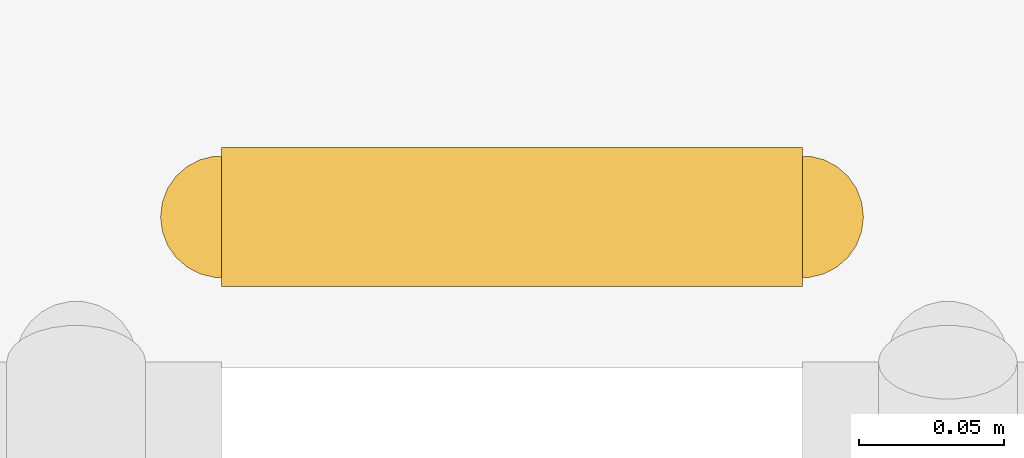
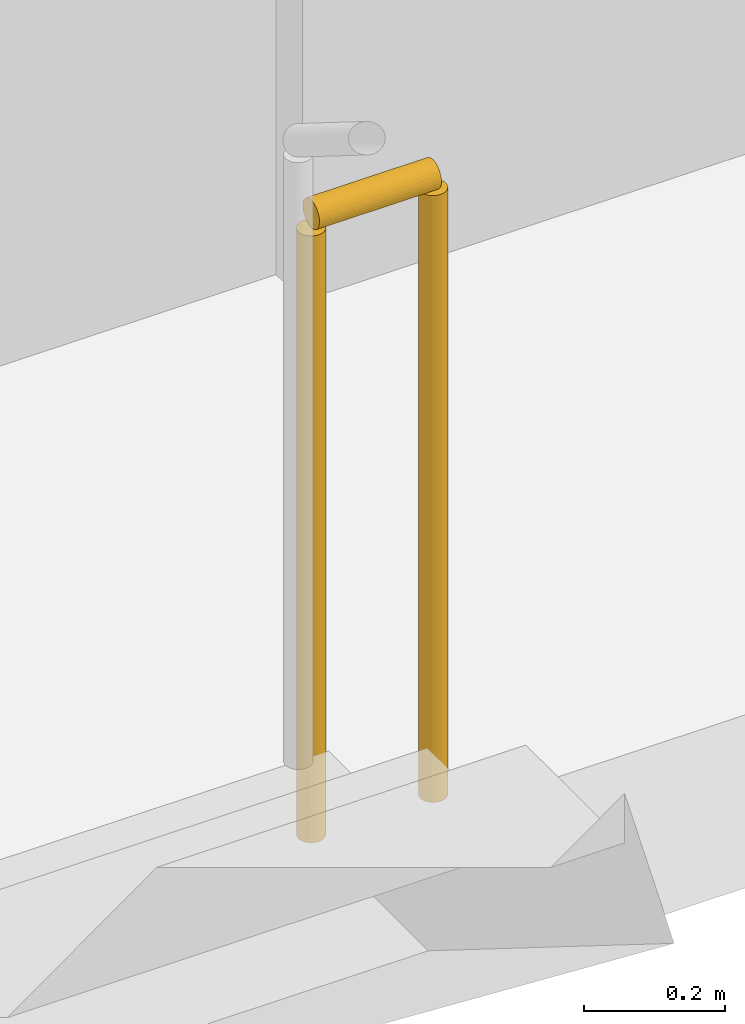
# One storey, part 19 of 21: 1 railing.
"""IFC4 building model written with IfcOpenShell, lengths in metres."""

from ifc_helpers import new_model, si_unit, direction, frame, origin, origin_2d, place, context, subcontext, project, spatial, circle, extrude, material, type_object, element, save


model = new_model("IFC4")

# Units and contexts
model_context = context("Model", 3, precision=1e-05, world=origin(), true_north=direction((0.0, 1.0)))
body_context = subcontext(model_context, "Body", "Model", "MODEL_VIEW")
ifc_project = project(units=[si_unit("LENGTHUNIT", "METRE"), si_unit("AREAUNIT", "SQUARE_METRE"), si_unit("VOLUMEUNIT", "CUBIC_METRE"), si_unit("PLANEANGLEUNIT", "RADIAN"), si_unit("MASSUNIT", "GRAM", prefix="KILO")], contexts=[model_context])

# Site, building, storey
site_placement = place(None, origin())
site = spatial("IfcSite", under=ifc_project, at=site_placement, CompositionType="ELEMENT")
building_placement = place(site_placement, origin())
building = spatial("IfcBuilding", under=site, at=building_placement, Name="Kiln Ring Residences", CompositionType="ELEMENT")
storey_placement = place(building_placement, frame((0.0, 0.0, 34.0)))
storey = spatial("IfcBuildingStorey", under=building, at=storey_placement, Name="L07", CompositionType="ELEMENT", Elevation=34.0)

# Railing
ifc_material = material(Name="Stainless steel", Category="steel")
railing_type = type_object("IfcRailingType", Name="CORE-STAIR-GUARD", PredefinedType="GUARDRAIL", material=ifc_material)
railing_placement = place(storey_placement, frame((-22.199951171875, 8.449951171875, 0.0)))
element("IfcRailing", 1, at=railing_placement, inside=storey, type_object=railing_type, Name="L07 W-STN stair guard 4", PredefinedType="GUARDRAIL", context=body_context, shape_type="SweptSolid", body=[
    extrude(circle(Radius=0.02392578125, at=origin_2d()), frame((0.0, 0.0, 1.076171875), z_axis=(1.0, 0.0, 0.0), x_axis=(0.0, 1.0, 0.0)), (0.0, 0.0, 1.0), 0.199951171875),
    extrude(circle(Radius=0.02099609375, at=origin_2d()), origin(), (0.0, 0.0, 1.0), 1.052001953125),
    extrude(circle(Radius=0.02099609375, at=origin_2d()), frame((0.199951171875, 0.0, 0.0)), (0.0, 0.0, 1.0), 1.052001953125),
])

save(model, "model.ifc")
